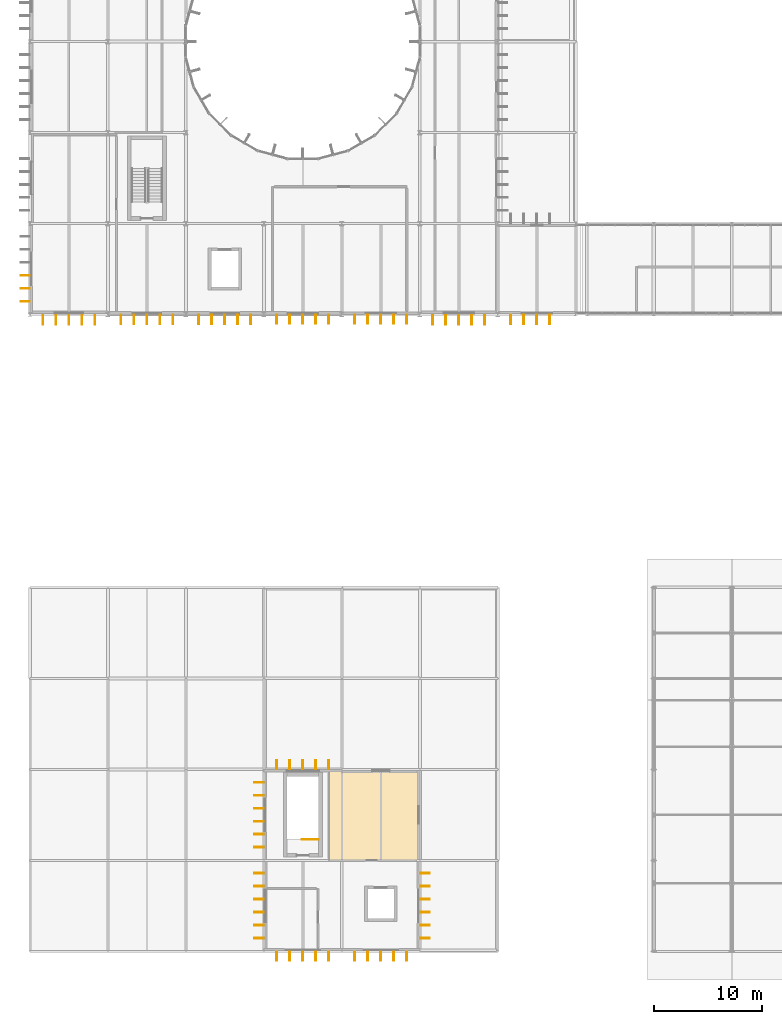
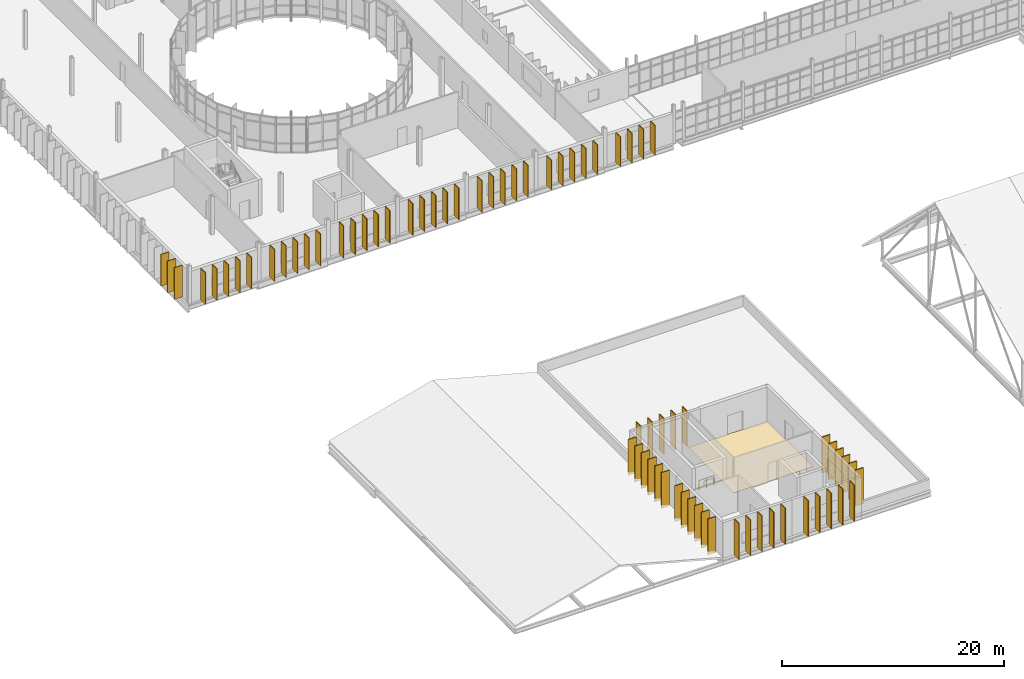
# One storey, part 86 of 99: 70 shading devices, 1 covering, 1 railing.
"""IFC4 building model written with IfcOpenShell, lengths in metres."""

import ifcopenshell
import ifcopenshell.guid

model = None  # the IFC model being written
_history = None  # IfcOwnerHistory: only IFC2X3 demands one
_inside = {}  # id of a spatial element -> (the spatial element, [elements in it])
_under = {}  # id of a project, library or spatial element -> (it, [spatial elements below it])
_declared = {}  # id of a project -> (the project, [libraries it declares])
_typed = {}  # id of a type object -> (the type object, [elements of that type])
_made_of = {}  # id of a material, layer set ... -> (it, [elements and type objects made of it])


def new_model(schema):
    """Start an empty IFC model of exactly this schema.

    Asked for "IFC4X3", IfcOpenShell would pick the latest addendum, in which some entities
    have other attributes; the version numbers below select the first issue.
    IFC2X3 requires an IfcOwnerHistory on every rooted entity: one is made here for all.
    """
    global model, _history
    if schema == "IFC4X3":
        model = ifcopenshell.file(schema_version=(4, 3, 0, 0))
    else:
        model = ifcopenshell.file(schema=schema)
    _inside.clear()
    _under.clear()
    _declared.clear()
    _typed.clear()
    _made_of.clear()
    _history = None
    if model.schema == "IFC2X3":
        org = make("IfcOrganization", Name="unknown")
        user = make(
            "IfcPersonAndOrganization",
            ThePerson=make("IfcPerson", FamilyName="unknown"),
            TheOrganization=org,
        )
        app = make(
            "IfcApplication",
            ApplicationDeveloper=org,
            Version="unknown",
            ApplicationFullName="unknown",
            ApplicationIdentifier="unknown",
        )
        _history = make(
            "IfcOwnerHistory",
            OwningUser=user,
            OwningApplication=app,
            ChangeAction="ADDED",
            CreationDate=0,
        )
    return model


def make(cls, **values):
    """One entity of the class cls with the attributes given. An attribute that is None is left unset."""
    return model.create_entity(
        cls, **{name: value for name, value in values.items() if value is not None}
    )


def rooted(cls, **values):
    """An entity with a GlobalId (a new one), such as an element, a storey or a relation."""
    return make(cls, GlobalId=ifcopenshell.guid.new(), OwnerHistory=_history, **values)


def si_unit(unit_type, name, prefix=None):
    """IfcSIUnit, for example si_unit("LENGTHUNIT", "METRE", prefix="MILLI")."""
    return make("IfcSIUnit", UnitType=unit_type, Prefix=prefix, Name=name)


def assignment(units):
    """IfcUnitAssignment: the units of a project."""
    return None if units is None else make("IfcUnitAssignment", Units=units)


def point(xyz):
    """IfcCartesianPoint."""
    return None if xyz is None else make("IfcCartesianPoint", Coordinates=xyz)


def direction(xyz):
    """IfcDirection."""
    return None if xyz is None else make("IfcDirection", DirectionRatios=xyz)


def frame(location, z_axis=None, x_axis=None):
    """IfcAxis2Placement3D, a coordinate frame: its origin and axes. An axis left out is left unset."""
    return make(
        "IfcAxis2Placement3D",
        Location=point(location),
        Axis=direction(z_axis),
        RefDirection=direction(x_axis),
    )


def frame_2d(location, x_axis=None):
    """IfcAxis2Placement2D, a coordinate frame in the plane: its origin and x axis."""
    return make(
        "IfcAxis2Placement2D", Location=point(location), RefDirection=direction(x_axis)
    )


def origin():
    """The frame at (0, 0, 0) with its axes left unset."""
    return frame((0.0, 0.0, 0.0))


def origin_2d():
    """The frame at (0, 0) in the plane with its x axis left unset."""
    return frame_2d((0.0, 0.0))


def place(relative_to, where):
    """IfcLocalPlacement: puts the frame where relative to a parent placement (None: the world)."""
    return make(
        "IfcLocalPlacement", PlacementRelTo=relative_to, RelativePlacement=where
    )


def context(
    kind, dimensions, precision=None, world=None, true_north=None, identifier=None
):
    """IfcGeometricRepresentationContext, for example the 3D "Model" context."""
    return make(
        "IfcGeometricRepresentationContext",
        ContextIdentifier=identifier,
        ContextType=kind,
        CoordinateSpaceDimension=dimensions,
        Precision=precision,
        WorldCoordinateSystem=world,
        TrueNorth=true_north,
    )


def subcontext(parent, identifier, kind, view, scale=None):
    """IfcGeometricRepresentationSubContext, for example "Body" below "Model"."""
    return make(
        "IfcGeometricRepresentationSubContext",
        ContextIdentifier=identifier,
        ContextType=kind,
        ParentContext=parent,
        TargetScale=scale,
        TargetView=view,
    )


def project(units=None, contexts=None):
    """IfcProject with its units and contexts."""
    return rooted(
        "IfcProject",
        Name="project",
        RepresentationContexts=contexts,
        UnitsInContext=assignment(units),
    )


def spatial(cls, under=None, at=None, **own):
    """A site, building, storey or space (cls), placed at a placement, below another one or the project."""
    s = rooted(cls, ObjectPlacement=at, **own)
    if under is not None:
        _under.setdefault(under.id(), (under, []))[1].append(s)
    return s


def polyline(points):
    """IfcPolyline through the points."""
    return make("IfcPolyline", Points=[point(p) for p in points])


def profile(cls, at=None, kind="AREA", **sizes):
    """A parametric profile (cls). Its sizes go by their IFC names, for example OverallWidth=200.0."""
    return make(cls, ProfileType=kind, Position=at, **sizes)


def rectangle(**sizes):
    """IfcRectangleProfileDef."""
    return profile("IfcRectangleProfileDef", **sizes)


def circle(**sizes):
    """IfcCircleProfileDef."""
    return profile("IfcCircleProfileDef", **sizes)


def outline(outer, holes=None, kind="AREA"):
    """IfcArbitraryClosedProfileDef: a profile drawn as a closed curve; with holes, ...WithVoids."""
    if holes is None:
        return make("IfcArbitraryClosedProfileDef", ProfileType=kind, OuterCurve=outer)
    return make(
        "IfcArbitraryProfileDefWithVoids",
        ProfileType=kind,
        OuterCurve=outer,
        InnerCurves=holes,
    )


def extrude(swept, where, along, depth):
    """IfcExtrudedAreaSolid: the profile swept, set in the frame where, extruded along a direction by depth."""
    return make(
        "IfcExtrudedAreaSolid",
        SweptArea=swept,
        Position=where,
        ExtrudedDirection=direction(along),
        Depth=depth,
    )


def shape(context_of_items, identifier, shape_type, items):
    """IfcShapeRepresentation: the items that make up one representation, for example the "Body"."""
    return make(
        "IfcShapeRepresentation",
        ContextOfItems=context_of_items,
        RepresentationIdentifier=identifier,
        RepresentationType=shape_type,
        Items=items,
    )


def material(Name=None, Category=None):
    """IfcMaterial."""
    return make("IfcMaterial", Name=Name, Category=Category)


def layer(
    of_material, thickness, ventilated=None, Name=None, Category=None, Priority=None
):
    """IfcMaterialLayer: one layer of a wall or slab, of a material (None: an air gap)."""
    return make(
        "IfcMaterialLayer",
        Material=of_material,
        LayerThickness=thickness,
        IsVentilated=ventilated,
        Name=Name,
        Category=Category,
        Priority=Priority,
    )


def layer_set(layers, Name=None):
    """IfcMaterialLayerSet."""
    return make("IfcMaterialLayerSet", MaterialLayers=layers, LayerSetName=Name)


def made_of(thing, what):
    """Note that an element or type object is made of a material, layer set ...; save() writes the relation."""
    if what is not None:
        _made_of.setdefault(what.id(), (what, []))[1].append(thing)
    return thing


def type_object(cls, material=None, **own):
    """A type object (cls), such as IfcWallType, which elements share."""
    return made_of(rooted(cls, **own), material)


def element(
    cls,
    number,
    at=None,
    inside=None,
    cuts=None,
    type_object=None,
    material=None,
    context=None,
    identifier="Body",
    shape_type=None,
    held_by="IfcProductDefinitionShape",
    body=None,
    shapes=None,
    **own,
):
    """One element of the class cls, such as IfcWall. Its Tag is "e" and its number.

    at: its placement. inside: the storey or other place that contains it. cuts: it is an
    opening in that element (IfcRelVoidsElement). A single representation is given by context,
    identifier, shape_type and body (its items); several are given by shapes. held_by: the class
    of the entity that holds the representations. save() writes the other relations.
    """
    e = rooted(cls, Tag="e%d" % number, ObjectPlacement=at, **own)
    if body is not None:
        shapes = [shape(context, identifier, shape_type, body)]
    if shapes is not None:
        e.Representation = make(held_by, Representations=shapes)
    if inside is not None:
        _inside.setdefault(inside.id(), (inside, []))[1].append(e)
    if cuts is not None:
        rooted(
            "IfcRelVoidsElement", RelatingBuildingElement=cuts, RelatedOpeningElement=e
        )
    if type_object is not None:
        _typed.setdefault(type_object.id(), (type_object, []))[1].append(e)
    return made_of(e, material)


def aggregate(whole, parts):
    """IfcRelAggregates: a whole, such as a stair, and the parts it consists of."""
    return rooted("IfcRelAggregates", RelatingObject=whole, RelatedObjects=parts)


def save(model, path):
    """Write the relations noted so far, then the file.

    IfcRelAggregates (storeys below a building ...), IfcRelContainedInSpatialStructure (elements
    in a storey), IfcRelDefinesByType, IfcRelAssociatesMaterial and IfcRelDeclares: one each for
    every whole, place, type object, material and project.
    """
    for whole, parts in _under.values():
        aggregate(whole, parts)
    for where, things in _inside.values():
        rooted(
            "IfcRelContainedInSpatialStructure",
            RelatedElements=things,
            RelatingStructure=where,
        )
    for kind, things in _typed.values():
        rooted("IfcRelDefinesByType", RelatedObjects=things, RelatingType=kind)
    for what, things in _made_of.values():
        rooted("IfcRelAssociatesMaterial", RelatedObjects=things, RelatingMaterial=what)
    for by, libraries in _declared.values():
        rooted("IfcRelDeclares", RelatingContext=by, RelatedDefinitions=libraries)
    model.write(path)


model = new_model("IFC4")

# Units and contexts
model_context = context("Model", 3, precision=1e-05, world=origin(), true_north=direction((0.0, 1.0)))
body_context = subcontext(model_context, "Body", "Model", "MODEL_VIEW")
ifc_project = project(units=[si_unit("LENGTHUNIT", "METRE"), si_unit("AREAUNIT", "SQUARE_METRE"), si_unit("VOLUMEUNIT", "CUBIC_METRE"), si_unit("PLANEANGLEUNIT", "RADIAN"), si_unit("MASSUNIT", "GRAM", prefix="KILO")], contexts=[model_context])

# Site, building, storey
site_placement = place(None, origin())
site = spatial("IfcSite", under=ifc_project, at=site_placement, CompositionType="ELEMENT")
building_placement = place(site_placement, origin())
building = spatial("IfcBuilding", under=site, at=building_placement, Name="Qelthora Terrace Specialist Clinic", CompositionType="ELEMENT")
storey_placement = place(building_placement, frame((0.0, 0.0, 9.0)))
storey = spatial("IfcBuildingStorey", under=building, at=storey_placement, Name="L02", CompositionType="ELEMENT", Elevation=9.0)

# Covering
ifc_material_1 = material(Name="Antimicrobial clinical linoleum flooring", Category="other")
ifc_layer = layer(ifc_material_1, 0.011962890625)
ifc_layer_set = layer_set([ifc_layer], Name="Antimicrobial clinical linoleum flooring")
covering_type = type_object("IfcCoveringType", Name="COV-FLR-LINO-12", PredefinedType="FLOORING", material=ifc_layer_set)
covering_placement = place(storey_placement, origin())
element("IfcCovering", 1, at=covering_placement, inside=storey, type_object=covering_type, Name="Healing Garden Patient Lounge L02-01 resilient linoleum flooring", PredefinedType="FLOORING", context=body_context, shape_type="SweptSolid", body=[
    extrude(outline(polyline([(35.8701171875, 8.39990234375), (27.60009765625, 8.39990234375), (27.60009765625, 16.669921875), (35.8701171875, 16.669921875), (35.8701171875, 8.39990234375)])), origin(), (0.0, 0.0, 1.0), 0.011962890625),
])

# Railing
ifc_material_2 = material(Name="Steel S355", Category="steel")
railing_type = type_object("IfcRailingType", Name="RAL-GD-1100-S355", PredefinedType="GUARDRAIL", material=ifc_material_2)
railing_placement = place(storey_placement, frame((26.64990234375, 10.35009765625, 0.0)))
element("IfcRailing", 2, at=railing_placement, inside=storey, type_object=railing_type, Name="L02 ST-03 top well guard 1", PredefinedType="GUARDRAIL", context=body_context, shape_type="SweptSolid", body=[
    extrude(circle(Radius=0.02392578125, at=origin_2d()), frame((0.0, 0.0, 1.076171875), z_axis=(-1.0, 0.0, 0.0), x_axis=(0.0, -1.0, 0.0)), (0.0, 0.0, 1.0), 1.5498046875),
    extrude(circle(Radius=0.02099609375, at=origin_2d()), origin(), (0.0, 0.0, 1.0), 1.052001953125),
    extrude(circle(Radius=0.02099609375, at=origin_2d()), frame((-0.77490234375, 0.0, 0.0)), (0.0, 0.0, 1.0), 1.052001953125),
    extrude(circle(Radius=0.02099609375, at=origin_2d()), frame((-1.5498046875, 0.0, 0.0)), (0.0, 0.0, 1.0), 1.052001953125),
])

# Shading devices
ifc_material_3 = material(Name="Glulam timber GL28h", Category="wood")
shading_device_type = type_object("IfcShadingDeviceType", Name="SHD-FIN-850", PredefinedType="USERDEFINED", material=ifc_material_3)
for number, where, z_axis, x_axis, name in (
    (3, (-0.43505859375, 60.0, 0.0), (0.0, 0.0, 1.0), (-1.0, 0.0, 0.0), "Exterior solar shading fin FIN-1078"),
    (4, (-0.43505859375, 61.199951171875, 0.0), (0.0, 0.0, 1.0), (-1.0, 0.0, 0.0), "Exterior solar shading fin FIN-1079"),
    (5, (-0.43505859375, 62.39990234375, 0.0), (0.0, 0.0, 1.0), (-1.0, 0.0, 0.0), "Exterior solar shading fin FIN-1080"),
):
    element("IfcShadingDevice", number, at=place(storey_placement, frame(where, z_axis=z_axis, x_axis=x_axis)), inside=storey, type_object=shading_device_type, Name=name, ObjectType="FIN", PredefinedType="USERDEFINED", context=body_context, shape_type="SweptSolid", body=[
        extrude(rectangle(XDim=0.85009765625, YDim=0.080078125, at=origin_2d()), origin(), (0.0, 0.0, 1.0), 3.47607421875),
    ])
for number, where, z_axis, x_axis, name in (
    (6, (1.199951171875, 58.304931640625, 0.0), (0.0, 0.0, 1.0), (0.0, -1.0, 0.0), "Exterior solar shading fin FIN-1386"),
    (7, (2.39990234375, 58.304931640625, 0.0), (0.0, 0.0, 1.0), (0.0, -1.0, 0.0), "Exterior solar shading fin FIN-1387"),
    (8, (3.60009765625, 58.304931640625, 0.0), (0.0, 0.0, 1.0), (0.0, -1.0, 0.0), "Exterior solar shading fin FIN-1388"),
    (9, (4.800048828125, 58.304931640625, 0.0), (0.0, 0.0, 1.0), (0.0, -1.0, 0.0), "Exterior solar shading fin FIN-1389"),
    (10, (6.0, 58.304931640625, 0.0), (0.0, 0.0, 1.0), (0.0, -1.0, 0.0), "Exterior solar shading fin FIN-1390"),
    (11, (8.39990234375, 58.3349609375, 0.0), (0.0, 0.0, 1.0), (0.0, -1.0, 0.0), "Exterior solar shading fin FIN-1391"),
    (12, (9.60009765625, 58.3349609375, 0.0), (0.0, 0.0, 1.0), (0.0, -1.0, 0.0), "Exterior solar shading fin FIN-1392"),
    (13, (10.800048828125, 58.3349609375, 0.0), (0.0, 0.0, 1.0), (0.0, -1.0, 0.0), "Exterior solar shading fin FIN-1393"),
    (14, (12.0, 58.3349609375, 0.0), (0.0, 0.0, 1.0), (0.0, -1.0, 0.0), "Exterior solar shading fin FIN-1394"),
    (15, (13.199951171875, 58.3349609375, 0.0), (0.0, 0.0, 1.0), (0.0, -1.0, 0.0), "Exterior solar shading fin FIN-1395"),
):
    element("IfcShadingDevice", number, at=place(storey_placement, frame(where, z_axis=z_axis, x_axis=x_axis)), inside=storey, type_object=shading_device_type, Name=name, ObjectType="FIN", PredefinedType="USERDEFINED", context=body_context, shape_type="SweptSolid", body=[
        extrude(rectangle(XDim=0.85009765625, YDim=0.080078125, at=origin_2d()), origin(), (0.0, 0.0, 1.0), 3.48193359375),
    ])
for number, where, z_axis, x_axis, name in (
    (16, (15.60009765625, 58.344970703125, 0.0), (0.0, 0.0, 1.0), (0.0, -1.0, 0.0), "Exterior solar shading fin FIN-1396"),
    (17, (16.800048828125, 58.344970703125, 0.0), (0.0, 0.0, 1.0), (0.0, -1.0, 0.0), "Exterior solar shading fin FIN-1397"),
    (18, (18.0, 58.344970703125, 0.0), (0.0, 0.0, 1.0), (0.0, -1.0, 0.0), "Exterior solar shading fin FIN-1398"),
    (19, (19.199951171875, 58.344970703125, 0.0), (0.0, 0.0, 1.0), (0.0, -1.0, 0.0), "Exterior solar shading fin FIN-1399"),
    (20, (20.39990234375, 58.344970703125, 0.0), (0.0, 0.0, 1.0), (0.0, -1.0, 0.0), "Exterior solar shading fin FIN-1400"),
):
    element("IfcShadingDevice", number, at=place(storey_placement, frame(where, z_axis=z_axis, x_axis=x_axis)), inside=storey, type_object=shading_device_type, Name=name, ObjectType="FIN", PredefinedType="USERDEFINED", context=body_context, shape_type="SweptSolid", body=[
        extrude(rectangle(XDim=0.85009765625, YDim=0.080078125, at=origin_2d()), origin(), (0.0, 0.0, 1.0), 3.529052734375),
    ])
for number, where, z_axis, x_axis, name in (
    (21, (22.800048828125, 58.35498046875, 0.0), (0.0, 0.0, 1.0), (0.0, -1.0, 0.0), "Exterior solar shading fin FIN-1401"),
    (22, (24.0, 58.35498046875, 0.0), (0.0, 0.0, 1.0), (0.0, -1.0, 0.0), "Exterior solar shading fin FIN-1402"),
    (23, (25.199951171875, 58.35498046875, 0.0), (0.0, 0.0, 1.0), (0.0, -1.0, 0.0), "Exterior solar shading fin FIN-1403"),
    (24, (26.39990234375, 58.35498046875, 0.0), (0.0, 0.0, 1.0), (0.0, -1.0, 0.0), "Exterior solar shading fin FIN-1404"),
    (25, (27.60009765625, 58.35498046875, 0.0), (0.0, 0.0, 1.0), (0.0, -1.0, 0.0), "Exterior solar shading fin FIN-1405"),
    (26, (30.0, 58.364990234375, 0.0), (0.0, 0.0, 1.0), (0.0, -1.0, 0.0), "Exterior solar shading fin FIN-1406"),
    (27, (31.199951171875, 58.364990234375, 0.0), (0.0, 0.0, 1.0), (0.0, -1.0, 0.0), "Exterior solar shading fin FIN-1407"),
    (28, (32.39990234375, 58.364990234375, 0.0), (0.0, 0.0, 1.0), (0.0, -1.0, 0.0), "Exterior solar shading fin FIN-1408"),
    (29, (33.60009765625, 58.364990234375, 0.0), (0.0, 0.0, 1.0), (0.0, -1.0, 0.0), "Exterior solar shading fin FIN-1409"),
    (30, (34.800048828125, 58.364990234375, 0.0), (0.0, 0.0, 1.0), (0.0, -1.0, 0.0), "Exterior solar shading fin FIN-1410"),
):
    element("IfcShadingDevice", number, at=place(storey_placement, frame(where, z_axis=z_axis, x_axis=x_axis)), inside=storey, type_object=shading_device_type, Name=name, ObjectType="FIN", PredefinedType="USERDEFINED", context=body_context, shape_type="SweptSolid", body=[
        extrude(rectangle(XDim=0.85009765625, YDim=0.080078125, at=origin_2d()), origin(), (0.0, 0.0, 1.0), 3.48193359375),
    ])
for number, where, z_axis, x_axis, name in (
    (31, (37.199951171875, 58.304931640625, 0.0), (0.0, 0.0, 1.0), (0.0, -1.0, 0.0), "Exterior solar shading fin FIN-1411"),
    (32, (38.39990234375, 58.304931640625, 0.0), (0.0, 0.0, 1.0), (0.0, -1.0, 0.0), "Exterior solar shading fin FIN-1412"),
    (33, (39.60009765625, 58.304931640625, 0.0), (0.0, 0.0, 1.0), (0.0, -1.0, 0.0), "Exterior solar shading fin FIN-1413"),
    (34, (40.800048828125, 58.304931640625, 0.0), (0.0, 0.0, 1.0), (0.0, -1.0, 0.0), "Exterior solar shading fin FIN-1414"),
    (35, (42.0, 58.304931640625, 0.0), (0.0, 0.0, 1.0), (0.0, -1.0, 0.0), "Exterior solar shading fin FIN-1415"),
    (36, (44.39990234375, 58.3349609375, 0.0), (0.0, 0.0, 1.0), (0.0, -1.0, 0.0), "Exterior solar shading fin FIN-1416"),
    (37, (45.60009765625, 58.3349609375, 0.0), (0.0, 0.0, 1.0), (0.0, -1.0, 0.0), "Exterior solar shading fin FIN-1417"),
    (38, (46.800048828125, 58.3349609375, 0.0), (0.0, 0.0, 1.0), (0.0, -1.0, 0.0), "Exterior solar shading fin FIN-1418"),
    (39, (48.0, 58.3349609375, 0.0), (0.0, 0.0, 1.0), (0.0, -1.0, 0.0), "Exterior solar shading fin FIN-1419"),
):
    element("IfcShadingDevice", number, at=place(storey_placement, frame(where, z_axis=z_axis, x_axis=x_axis)), inside=storey, type_object=shading_device_type, Name=name, ObjectType="FIN", PredefinedType="USERDEFINED", context=body_context, shape_type="SweptSolid", body=[
        extrude(rectangle(XDim=0.85009765625, YDim=0.080078125, at=origin_2d()), origin(), (0.0, 0.0, 1.0), 3.2490234375),
    ])
for number, where, z_axis, x_axis, name in (
    (40, (21.14501953125, 1.199951171875, 0.0), (0.0, 0.0, 1.0), (-1.0, 0.0, 0.0), "Exterior solar shading fin FIN-1420"),
    (41, (21.14501953125, 2.39990234375, 0.0), (0.0, 0.0, 1.0), (-1.0, 0.0, 0.0), "Exterior solar shading fin FIN-1421"),
    (42, (21.14501953125, 3.60009765625, 0.0), (0.0, 0.0, 1.0), (-1.0, 0.0, 0.0), "Exterior solar shading fin FIN-1422"),
    (43, (21.14501953125, 4.800048828125, 0.0), (0.0, 0.0, 1.0), (-1.0, 0.0, 0.0), "Exterior solar shading fin FIN-1423"),
    (44, (21.14501953125, 6.0, 0.0), (0.0, 0.0, 1.0), (-1.0, 0.0, 0.0), "Exterior solar shading fin FIN-1424"),
    (45, (21.14501953125, 7.199951171875, 0.0), (0.0, 0.0, 1.0), (-1.0, 0.0, 0.0), "Exterior solar shading fin FIN-1425"),
    (46, (21.155029296875, 9.60009765625, 0.0), (0.0, 0.0, 1.0), (-1.0, 0.0, 0.0), "Exterior solar shading fin FIN-1426"),
    (47, (21.155029296875, 10.800048828125, 0.0), (0.0, 0.0, 1.0), (-1.0, 0.0, 0.0), "Exterior solar shading fin FIN-1427"),
    (48, (21.155029296875, 12.0, 0.0), (0.0, 0.0, 1.0), (-1.0, 0.0, 0.0), "Exterior solar shading fin FIN-1428"),
    (49, (21.155029296875, 13.199951171875, 0.0), (0.0, 0.0, 1.0), (-1.0, 0.0, 0.0), "Exterior solar shading fin FIN-1429"),
    (50, (21.155029296875, 14.39990234375, 0.0), (0.0, 0.0, 1.0), (-1.0, 0.0, 0.0), "Exterior solar shading fin FIN-1430"),
    (51, (21.155029296875, 15.60009765625, 0.0), (0.0, 0.0, 1.0), (-1.0, 0.0, 0.0), "Exterior solar shading fin FIN-1431"),
    (52, (22.800048828125, 17.235107421875, 0.0), (0.0, 0.0, 1.0), (0.0, 1.0, 0.0), "Exterior solar shading fin FIN-1432"),
    (53, (24.0, 17.235107421875, 0.0), (0.0, 0.0, 1.0), (0.0, 1.0, 0.0), "Exterior solar shading fin FIN-1433"),
    (54, (25.199951171875, 17.235107421875, 0.0), (0.0, 0.0, 1.0), (0.0, 1.0, 0.0), "Exterior solar shading fin FIN-1434"),
    (55, (26.39990234375, 17.235107421875, 0.0), (0.0, 0.0, 1.0), (0.0, 1.0, 0.0), "Exterior solar shading fin FIN-1435"),
    (56, (27.60009765625, 17.235107421875, 0.0), (0.0, 0.0, 1.0), (0.0, 1.0, 0.0), "Exterior solar shading fin FIN-1436"),
    (57, (36.465087890625, 1.199951171875, 0.0), (0.0, 0.0, 1.0), (1.0, 0.0, 0.0), "Exterior solar shading fin FIN-1437"),
    (58, (36.465087890625, 2.39990234375, 0.0), (0.0, 0.0, 1.0), (1.0, 0.0, 0.0), "Exterior solar shading fin FIN-1438"),
    (59, (36.465087890625, 3.60009765625, 0.0), (0.0, 0.0, 1.0), (1.0, 0.0, 0.0), "Exterior solar shading fin FIN-1439"),
    (60, (36.465087890625, 4.800048828125, 0.0), (0.0, 0.0, 1.0), (1.0, 0.0, 0.0), "Exterior solar shading fin FIN-1440"),
    (61, (36.465087890625, 6.0, 0.0), (0.0, 0.0, 1.0), (1.0, 0.0, 0.0), "Exterior solar shading fin FIN-1441"),
    (62, (36.465087890625, 7.199951171875, 0.0), (0.0, 0.0, 1.0), (1.0, 0.0, 0.0), "Exterior solar shading fin FIN-1442"),
    (63, (22.800048828125, -0.445068359375, 0.0), (0.0, 0.0, 1.0), (0.0, -1.0, 0.0), "Exterior solar shading fin FIN-1443"),
    (64, (24.0, -0.445068359375, 0.0), (0.0, 0.0, 1.0), (0.0, -1.0, 0.0), "Exterior solar shading fin FIN-1444"),
    (65, (25.199951171875, -0.445068359375, 0.0), (0.0, 0.0, 1.0), (0.0, -1.0, 0.0), "Exterior solar shading fin FIN-1445"),
    (66, (26.39990234375, -0.445068359375, 0.0), (0.0, 0.0, 1.0), (0.0, -1.0, 0.0), "Exterior solar shading fin FIN-1446"),
    (67, (27.60009765625, -0.445068359375, 0.0), (0.0, 0.0, 1.0), (0.0, -1.0, 0.0), "Exterior solar shading fin FIN-1447"),
    (68, (30.0, -0.43505859375, 0.0), (0.0, 0.0, 1.0), (0.0, -1.0, 0.0), "Exterior solar shading fin FIN-1448"),
    (69, (31.199951171875, -0.43505859375, 0.0), (0.0, 0.0, 1.0), (0.0, -1.0, 0.0), "Exterior solar shading fin FIN-1449"),
    (70, (32.39990234375, -0.43505859375, 0.0), (0.0, 0.0, 1.0), (0.0, -1.0, 0.0), "Exterior solar shading fin FIN-1450"),
    (71, (33.60009765625, -0.43505859375, 0.0), (0.0, 0.0, 1.0), (0.0, -1.0, 0.0), "Exterior solar shading fin FIN-1451"),
    (72, (34.800048828125, -0.43505859375, 0.0), (0.0, 0.0, 1.0), (0.0, -1.0, 0.0), "Exterior solar shading fin FIN-1452"),
):
    element("IfcShadingDevice", number, at=place(storey_placement, frame(where, z_axis=z_axis, x_axis=x_axis)), inside=storey, type_object=shading_device_type, Name=name, ObjectType="FIN", PredefinedType="USERDEFINED", context=body_context, shape_type="SweptSolid", body=[
        extrude(rectangle(XDim=0.85009765625, YDim=0.080078125, at=origin_2d()), origin(), (0.0, 0.0, 1.0), 3.93994140625),
    ])

save(model, "model.ifc")
